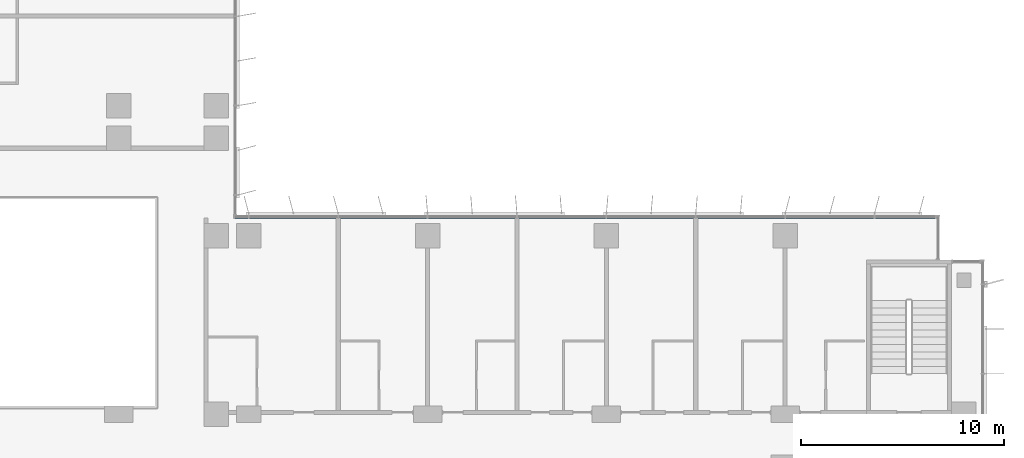
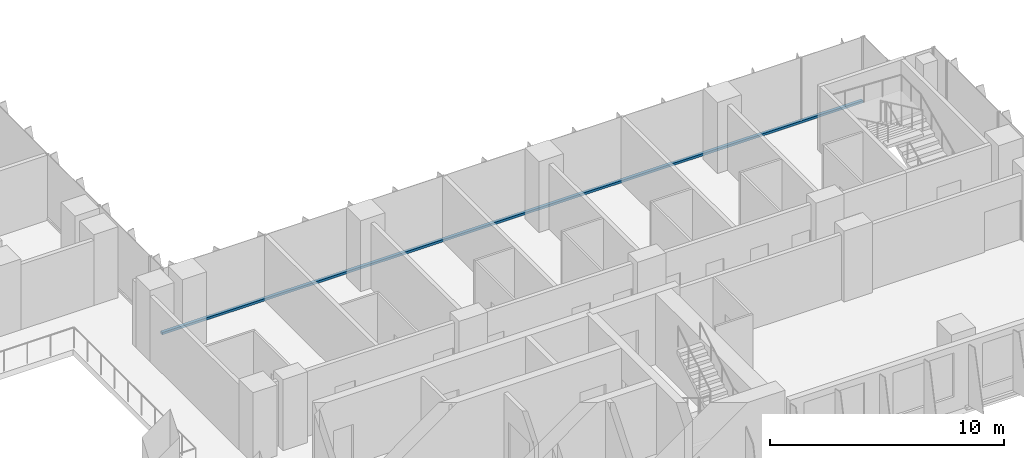
# One storey, part 3 of 22: 1 member, 1 element without a shape of its own.
"""IFC4 building model written with IfcOpenShell, lengths in metres."""

from ifc_helpers import new_model, si_unit, direction, frame, origin, origin_2d, place, context, subcontext, project, spatial, rectangle, extrude, material, material_profile, profile_set, type_object, element, aggregate, save


model = new_model("IFC4")

# Units and contexts
model_context = context("Model", 3, precision=1e-05, world=origin(), true_north=direction((0.0, 1.0)))
body_context = subcontext(model_context, "Body", "Model", "MODEL_VIEW")
ifc_project = project(units=[si_unit("LENGTHUNIT", "METRE"), si_unit("AREAUNIT", "SQUARE_METRE"), si_unit("VOLUMEUNIT", "CUBIC_METRE"), si_unit("PLANEANGLEUNIT", "RADIAN"), si_unit("MASSUNIT", "GRAM", prefix="KILO")], contexts=[model_context])

# Site, building, storey
site_placement = place(None, origin())
site = spatial("IfcSite", under=ifc_project, at=site_placement, CompositionType="ELEMENT")
building_placement = place(site_placement, origin())
building = spatial("IfcBuilding", under=site, at=building_placement, Name="Kemantara Hotel Tower", CompositionType="ELEMENT")
storey_placement = place(building_placement, frame((0.0, 0.0, 107.39990234375)))
storey = spatial("IfcBuildingStorey", under=building, at=storey_placement, Name="L25", CompositionType="ELEMENT", Elevation=107.39990234375)

# Curtain wall, member
ifc_material_1 = material(Name="Low-E tinted double insulated glass 36 mm", Category="glass")
curtain_wall_type = type_object("IfcCurtainWallType", Name="TOWER CURTAIN WALL, FRONT FACES", PredefinedType="USERDEFINED", material=ifc_material_1)
curtain_wall_placement = place(storey_placement, origin())
curtain_wall = element("IfcCurtainWall", 1, at=curtain_wall_placement, inside=storey, type_object=curtain_wall_type, Name="CW4 L25 T2-R13-1", ObjectType="TOWER CURTAIN WALL, FRONT FACES", PredefinedType="USERDEFINED")
ifc_material_2 = material(Name="Aluminium 6063-T6 bronze anodised", Category="aluminium")
ifc_material_profile = material_profile(ifc_material_2, rectangle(XDim=0.14990234375, YDim=0.1201171875, at=origin_2d()), Name="TOWER CURTAIN WALL, FRONT FACES TRANSOM")
ifc_profile_set = profile_set([ifc_material_profile], Name="Aluminium 6063-T6 bronze anodised")
member_type = type_object("IfcMemberType", Name="TOWER CURTAIN WALL, FRONT FACES TRANSOM", PredefinedType="USERDEFINED", material=ifc_profile_set)
member_placement = place(storey_placement, frame((61.25, 21.925048828125, 0.06005859375), z_axis=(-1.0, 0.0, 0.0), x_axis=(0.0, -1.0, 0.0)))
member = element("IfcMember", 2, at=member_placement, type_object=member_type, Name="CW4 sill transom T2-R13-1", ObjectType="TRANSOM", PredefinedType="USERDEFINED", context=body_context, shape_type="SweptSolid", body=[
    extrude(rectangle(XDim=0.14990234375, YDim=0.1201171875, at=origin_2d()), origin(), (0.0, 0.0, 1.0), 34.60009765625),
])
aggregate(curtain_wall, [member])

save(model, "model.ifc")
